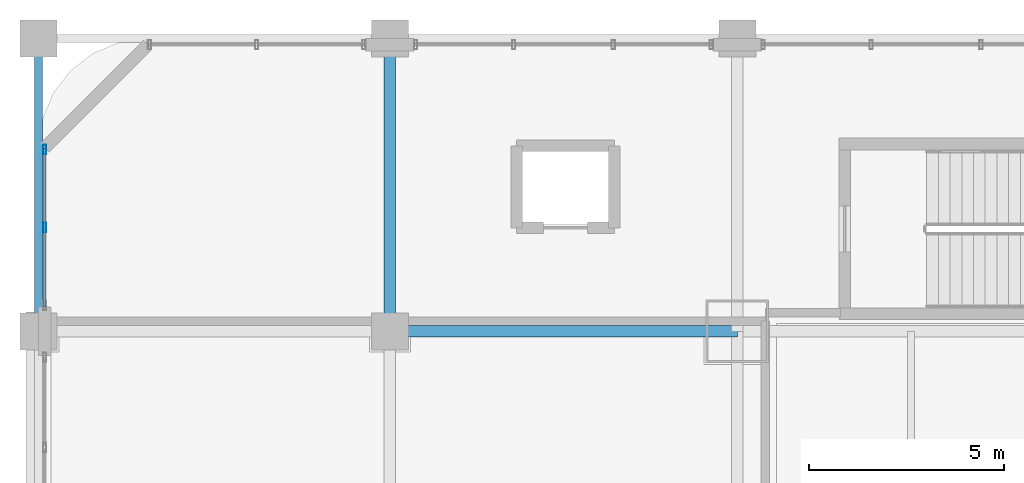
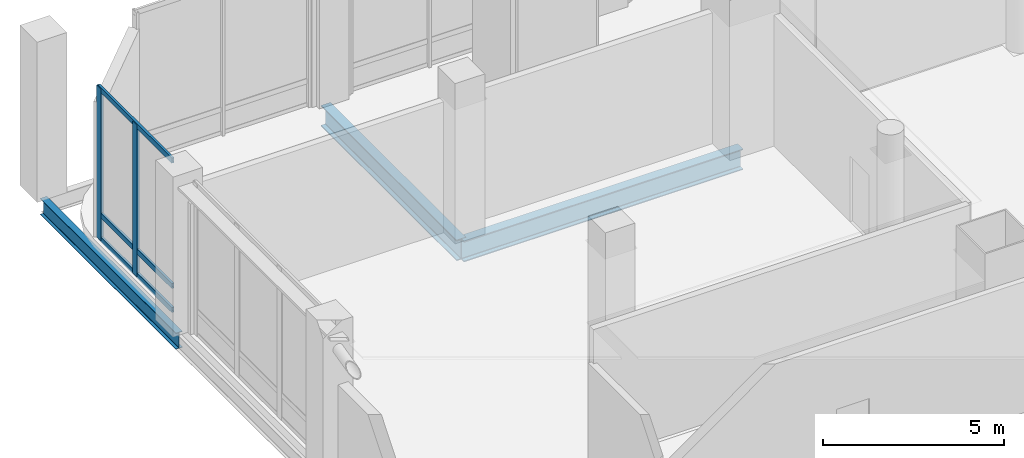
# One storey, part 11 of 39: 5 members, 3 beams, 1 element without a shape of its own.
"""IFC4 building model written with IfcOpenShell, lengths in metres."""

from ifc_helpers import new_model, si_unit, direction, frame, origin, origin_2d, place, context, subcontext, project, spatial, hollow_rectangle, i_section, extrude, material, material_profile, profile_set, type_object, element, aggregate, save


model = new_model("IFC4")

# Units and contexts
model_context = context("Model", 3, precision=1e-05, world=origin(), true_north=direction((0.0, 1.0)))
body_context = subcontext(model_context, "Body", "Model", "MODEL_VIEW")
ifc_project = project(units=[si_unit("LENGTHUNIT", "METRE"), si_unit("AREAUNIT", "SQUARE_METRE"), si_unit("VOLUMEUNIT", "CUBIC_METRE"), si_unit("PLANEANGLEUNIT", "RADIAN"), si_unit("MASSUNIT", "GRAM", prefix="KILO")], contexts=[model_context])

# Site, building, storey
site_placement = place(None, origin())
site = spatial("IfcSite", under=ifc_project, at=site_placement, CompositionType="ELEMENT")
building_placement = place(site_placement, origin())
building = spatial("IfcBuilding", under=site, at=building_placement, Name="Punatoya Terracotta Tower", CompositionType="ELEMENT")
storey_placement = place(building_placement, frame((0.0, 0.0, 11.39990234375)))
storey = spatial("IfcBuildingStorey", under=building, at=storey_placement, Name="L02", CompositionType="ELEMENT", Elevation=11.39990234375)

# Beams
ifc_material_1 = material(Name="Steel S355", Category="steel")
ifc_material_profile_1 = material_profile(ifc_material_1, i_section(OverallWidth=0.300048828125, OverallDepth=0.699951171875, WebThickness=0.01708984375, FlangeThickness=0.031982421875, FilletRadius=0.01806640625, at=origin_2d()))
ifc_profile_set_1 = profile_set([ifc_material_profile_1], Name="Steel S355")
beam_type_1 = type_object("IfcBeamType", Name="BM-PRI-700", PredefinedType="BEAM", material=ifc_profile_set_1)
beam_1_placement = place(storey_placement, frame((-28.0, 17.5, -0.6298828125), z_axis=(1.0, 0.0, 0.0), x_axis=(0.0, 1.0, 0.0)))
element("IfcBeam", 1, at=beam_1_placement, inside=storey, type_object=beam_type_1, Name="BM-L02-GW2", PredefinedType="BEAM", context=body_context, shape_type="SweptSolid", body=[
    extrude(i_section(OverallWidth=0.300048828125, OverallDepth=0.699951171875, WebThickness=0.01708984375, FlangeThickness=0.031982421875, FilletRadius=0.01806640625, at=origin_2d()), origin(), (0.0, 0.0, 1.0), 8.89990234375),
])
beam_2_placement = place(storey_placement, frame((-28.0, 17.5, -0.6298828125), z_axis=(0.0, 1.0, 0.0), x_axis=(-1.0, 0.0, 0.0)))
element("IfcBeam", 2, at=beam_2_placement, inside=storey, type_object=beam_type_1, Name="BM-L02-X28W-17", PredefinedType="BEAM", context=body_context, shape_type="SweptSolid", body=[
    extrude(i_section(OverallWidth=0.300048828125, OverallDepth=0.699951171875, WebThickness=0.01708984375, FlangeThickness=0.031982421875, FilletRadius=0.01806640625, at=origin_2d()), origin(), (0.0, 0.0, 1.0), 7.5),
])
ifc_material_profile_2 = material_profile(ifc_material_1, i_section(OverallWidth=0.2099609375, OverallDepth=0.550048828125, WebThickness=0.010986328125, FlangeThickness=0.01708984375, FilletRadius=0.01806640625, at=origin_2d()))
ifc_profile_set_2 = profile_set([ifc_material_profile_2], Name="Steel S355")
beam_type_2 = type_object("IfcBeamType", Name="BM-SPN-550", PredefinedType="SPANDREL", material=ifc_profile_set_2)
beam_3_placement = place(storey_placement, frame((-37.0, 17.5, -0.554931640625), z_axis=(0.0, 1.0, 0.0), x_axis=(-1.0, 0.0, 0.0)))
element("IfcBeam", 3, at=beam_3_placement, inside=storey, type_object=beam_type_2, Name="BM-L02-X37W-17", PredefinedType="SPANDREL", context=body_context, shape_type="SweptSolid", body=[
    extrude(i_section(OverallWidth=0.2099609375, OverallDepth=0.550048828125, WebThickness=0.010986328125, FlangeThickness=0.01708984375, FilletRadius=0.01806640625, at=origin_2d()), origin(), (0.0, 0.0, 1.0), 7.5),
])

# Curtain wall, members
ifc_material_2 = material(Name="Aluminium 6063-T6 + Double Low-E Glass", Category="aluminium")
curtain_wall_type = type_object("IfcCurtainWallType", Name="CW-POD", PredefinedType="NOTDEFINED", material=ifc_material_2)
curtain_wall_placement = place(storey_placement, origin())
curtain_wall = element("IfcCurtainWall", 4, at=curtain_wall_placement, inside=storey, type_object=curtain_wall_type, Name="L02 Curtain Wall CWP-L02-W4", PredefinedType="NOTDEFINED")
ifc_material_3 = material(Name="Aluminium 6063-T6", Category="aluminium")
ifc_material_profile_3 = material_profile(ifc_material_3, hollow_rectangle(XDim=0.0849609375, YDim=0.239990234375, WallThickness=0.0048828125, at=origin_2d()))
ifc_profile_set_3 = profile_set([ifc_material_profile_3], Name="Aluminium 6063-T6")
member_type_1 = type_object("IfcMemberType", Name="CW-MUL-POD", PredefinedType="MULLION", material=ifc_profile_set_3)
member_1_placement = place(storey_placement, frame((-36.840087890625, 20.159912109375, 0.0), z_axis=(0.0, 0.0, 1.0), x_axis=(1.0, 0.0, 0.0)))
member_1 = element("IfcMember", 5, at=member_1_placement, type_object=member_type_1, Name="CWP-L02-W4 Mullion 01", PredefinedType="MULLION", context=body_context, shape_type="SweptSolid", body=[
    extrude(hollow_rectangle(XDim=0.0849609375, YDim=0.239990234375, WallThickness=0.0048828125, at=origin_2d()), origin(), (0.0, 0.0, 1.0), 5.1201171875),
])
member_2_placement = place(storey_placement, frame((-36.840087890625, 22.155029296875, 0.0), z_axis=(0.0, 0.0, 1.0), x_axis=(1.0, 0.0, 0.0)))
member_2 = element("IfcMember", 6, at=member_2_placement, type_object=member_type_1, Name="CWP-L02-W4 Mullion 02", PredefinedType="MULLION", context=body_context, shape_type="SweptSolid", body=[
    extrude(hollow_rectangle(XDim=0.0849609375, YDim=0.239990234375, WallThickness=0.0048828125, at=origin_2d()), origin(), (0.0, 0.0, 1.0), 5.1201171875),
])
ifc_material_profile_4 = material_profile(ifc_material_3, hollow_rectangle(XDim=0.074951171875, YDim=0.175048828125, WallThickness=0.00439453125, at=origin_2d()))
ifc_profile_set_4 = profile_set([ifc_material_profile_4], Name="Aluminium 6063-T6")
member_type_2 = type_object("IfcMemberType", Name="CW-TRN-POD", PredefinedType="USERDEFINED", material=ifc_profile_set_4)
member_3_placement = place(storey_placement, frame((-36.840087890625, 18.1201171875, 0.0400390625), z_axis=(0.0, 1.0, 0.0), x_axis=(-1.0, 0.0, 0.0)))
member_3 = element("IfcMember", 7, at=member_3_placement, type_object=member_type_2, Name="CWP-L02-W4 Transom 1", ObjectType="TRANSOM", PredefinedType="USERDEFINED", context=body_context, shape_type="SweptSolid", body=[
    extrude(hollow_rectangle(XDim=0.074951171875, YDim=0.175048828125, WallThickness=0.00439453125, at=origin_2d()), origin(), (0.0, 0.0, 1.0), 4.079833984375),
])
member_4_placement = place(storey_placement, frame((-36.840087890625, 18.1201171875, 0.85009765625), z_axis=(0.0, 1.0, 0.0), x_axis=(-1.0, 0.0, 0.0)))
member_4 = element("IfcMember", 8, at=member_4_placement, type_object=member_type_2, Name="CWP-L02-W4 Transom 2", ObjectType="TRANSOM", PredefinedType="USERDEFINED", context=body_context, shape_type="SweptSolid", body=[
    extrude(hollow_rectangle(XDim=0.074951171875, YDim=0.175048828125, WallThickness=0.00439453125, at=origin_2d()), origin(), (0.0, 0.0, 1.0), 4.079833984375),
])
member_5_placement = place(storey_placement, frame((-36.840087890625, 18.1201171875, 5.080078125), z_axis=(0.0, 1.0, 0.0), x_axis=(-1.0, 0.0, 0.0)))
member_5 = element("IfcMember", 9, at=member_5_placement, type_object=member_type_2, Name="CWP-L02-W4 Transom 3", ObjectType="TRANSOM", PredefinedType="USERDEFINED", context=body_context, shape_type="SweptSolid", body=[
    extrude(hollow_rectangle(XDim=0.074951171875, YDim=0.175048828125, WallThickness=0.00439453125, at=origin_2d()), origin(), (0.0, 0.0, 1.0), 4.079833984375),
])
aggregate(curtain_wall, [member_1, member_2, member_3, member_4, member_5])

save(model, "model.ifc")
